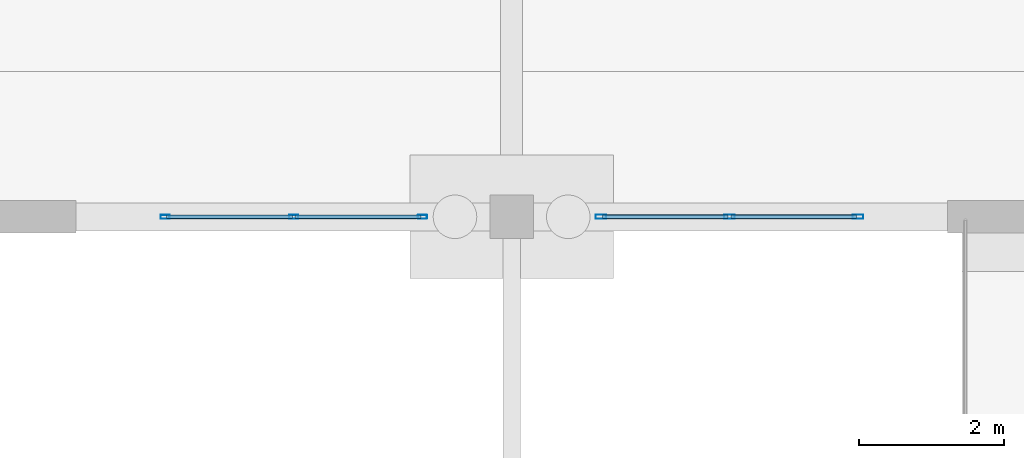
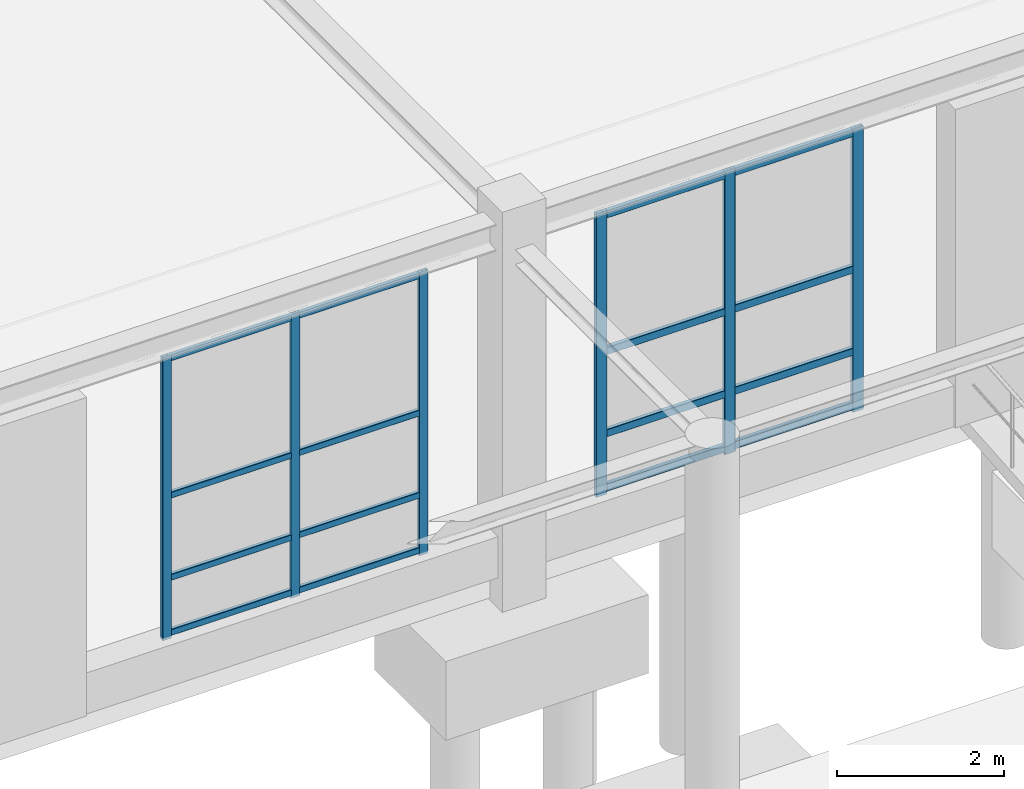
# One storey, part 15 of 53: 22 members, 2 elements without a shape of their own.
"""IFC4 building model written with IfcOpenShell, lengths in metres."""

from ifc_helpers import new_model, si_unit, derived_unit, direction, frame, origin, origin_2d, place, context, subcontext, project, spatial, hollow_rectangle, extrude, material, layer, layer_set, material_profile, profile_set, type_object, element, aggregate, save


model = new_model("IFC4")

# Units and contexts
model_context = context("Model", 3, precision=1e-05, world=origin(), true_north=direction((0.0, 1.0)))
body_context = subcontext(model_context, "Body", "Model", "MODEL_VIEW")
ifc_project = project(units=[si_unit("LENGTHUNIT", "METRE"), si_unit("AREAUNIT", "SQUARE_METRE"), si_unit("VOLUMEUNIT", "CUBIC_METRE"), si_unit("PLANEANGLEUNIT", "RADIAN"), si_unit("MASSUNIT", "GRAM", prefix="KILO"), derived_unit("THERMALTRANSMITTANCEUNIT", [(si_unit("POWERUNIT", "WATT"), 1), (si_unit("LENGTHUNIT", "METRE"), -2), (si_unit("THERMODYNAMICTEMPERATUREUNIT", "KELVIN"), -1)])], contexts=[model_context])

# Site, building, storey
site_placement = place(None, origin())
site = spatial("IfcSite", under=ifc_project, at=site_placement, CompositionType="ELEMENT")
building_placement = place(site_placement, origin())
building = spatial("IfcBuilding", under=site, at=building_placement, Name="Almenara Railside Exhibition Hall", CompositionType="ELEMENT")
storey_placement = place(building_placement, origin())
storey = spatial("IfcBuildingStorey", under=building, at=storey_placement, Name="L00", CompositionType="ELEMENT", Elevation=0.0)

# Curtain wall, members
ifc_material_1 = material(Name="Bronze-anodised aluminium and low-E double glazing", Category="aluminium")
ifc_layer = layer(ifc_material_1, 0.179931640625, Name="Bronze-anodised aluminium and low-E double glazing")
ifc_layer_set = layer_set([ifc_layer], Name="Bronze-anodised aluminium and low-E double glazing")
curtain_wall_type = type_object("IfcCurtainWallType", Name="Concourse South Portale Curtain Wall 3600x4100", PredefinedType="NOTDEFINED", material=ifc_layer_set)
curtain_wall_1_placement = place(storey_placement, origin())
curtain_wall_1 = element("IfcCurtainWall", 1, at=curtain_wall_1_placement, inside=storey, type_object=curtain_wall_type, Name="Curtain wall CW-PC1-126", PredefinedType="NOTDEFINED")
ifc_material_2 = material(Name="Bronze-anodised aluminium", Category="aluminium")
ifc_material_profile_1 = material_profile(ifc_material_2, hollow_rectangle(XDim=0.054931640625, YDim=0.125, WallThickness=0.0029296875, InnerFilletRadius=0.0029296875, OuterFilletRadius=0.006103515625, at=origin_2d()), Name="ALU-MUL 55x125x3")
ifc_profile_set_1 = profile_set([ifc_material_profile_1], Name="Bronze-anodised aluminium")
member_type_1 = type_object("IfcMemberType", Name="Curtain Wall Mullion 55x125x3", PredefinedType="MULLION", material=ifc_profile_set_1)
member_1_placement = place(storey_placement, frame((97.2275390625, 36.0, 0.56494140625), z_axis=(0.0, 0.0, 1.0), x_axis=(0.0, 1.0, 0.0)))
member_1 = element("IfcMember", 2, at=member_1_placement, type_object=member_type_1, Name="CW-PC1-126 mullion 1", PredefinedType="MULLION", context=body_context, shape_type="SweptSolid", body=[
    extrude(hollow_rectangle(XDim=0.054931640625, YDim=0.125, WallThickness=0.0029296875, InnerFilletRadius=0.0029296875, OuterFilletRadius=0.006103515625, at=origin_2d()), origin(), (0.0, 0.0, 1.0), 4.135009765625),
])
member_2_placement = place(storey_placement, frame((99.0, 36.0, 0.56494140625), z_axis=(0.0, 0.0, 1.0), x_axis=(0.0, 1.0, 0.0)))
member_2 = element("IfcMember", 3, at=member_2_placement, type_object=member_type_1, Name="CW-PC1-126 mullion 2", PredefinedType="MULLION", context=body_context, shape_type="SweptSolid", body=[
    extrude(hollow_rectangle(XDim=0.054931640625, YDim=0.125, WallThickness=0.0029296875, InnerFilletRadius=0.0029296875, OuterFilletRadius=0.006103515625, at=origin_2d()), origin(), (0.0, 0.0, 1.0), 4.135009765625),
])
member_3_placement = place(storey_placement, frame((100.7724609375, 36.0, 0.56494140625), z_axis=(0.0, 0.0, 1.0), x_axis=(0.0, 1.0, 0.0)))
member_3 = element("IfcMember", 4, at=member_3_placement, type_object=member_type_1, Name="CW-PC1-126 mullion 3", PredefinedType="MULLION", context=body_context, shape_type="SweptSolid", body=[
    extrude(hollow_rectangle(XDim=0.054931640625, YDim=0.125, WallThickness=0.0029296875, InnerFilletRadius=0.0029296875, OuterFilletRadius=0.006103515625, at=origin_2d()), origin(), (0.0, 0.0, 1.0), 4.135009765625),
])

curtain_wall_2_placement = place(storey_placement, origin())
curtain_wall_2 = element("IfcCurtainWall", 5, at=curtain_wall_2_placement, inside=storey, type_object=curtain_wall_type, Name="Curtain wall CW-PC1-133", PredefinedType="NOTDEFINED")
ifc_material_profile_2 = material_profile(ifc_material_2, hollow_rectangle(XDim=0.06005859375, YDim=0.14990234375, WallThickness=0.00341796875, InnerFilletRadius=0.00341796875, OuterFilletRadius=0.007080078125, at=origin_2d()), Name="ALU-MUL 60x150x3.5")
ifc_profile_set_2 = profile_set([ifc_material_profile_2], Name="Bronze-anodised aluminium")
member_type_2 = type_object("IfcMemberType", Name="Curtain Wall Mullion 60x150x3.5", PredefinedType="MULLION", material=ifc_profile_set_2)
member_4_placement = place(storey_placement, frame((103.22998046875, 36.0, 0.56494140625), z_axis=(0.0, 0.0, 1.0), x_axis=(0.0, 1.0, 0.0)))
member_4 = element("IfcMember", 6, at=member_4_placement, type_object=member_type_2, Name="CW-PC1-133 mullion 1", PredefinedType="MULLION", context=body_context, shape_type="SweptSolid", body=[
    extrude(hollow_rectangle(XDim=0.06005859375, YDim=0.14990234375, WallThickness=0.00341796875, InnerFilletRadius=0.00341796875, OuterFilletRadius=0.007080078125, at=origin_2d()), origin(), (0.0, 0.0, 1.0), 4.135009765625),
])
member_5_placement = place(storey_placement, frame((105.0, 36.0, 0.56494140625), z_axis=(0.0, 0.0, 1.0), x_axis=(0.0, 1.0, 0.0)))
member_5 = element("IfcMember", 7, at=member_5_placement, type_object=member_type_2, Name="CW-PC1-133 mullion 2", PredefinedType="MULLION", context=body_context, shape_type="SweptSolid", body=[
    extrude(hollow_rectangle(XDim=0.06005859375, YDim=0.14990234375, WallThickness=0.00341796875, InnerFilletRadius=0.00341796875, OuterFilletRadius=0.007080078125, at=origin_2d()), origin(), (0.0, 0.0, 1.0), 4.135009765625),
])
member_6_placement = place(storey_placement, frame((106.77001953125, 36.0, 0.56494140625), z_axis=(0.0, 0.0, 1.0), x_axis=(0.0, 1.0, 0.0)))
member_6 = element("IfcMember", 8, at=member_6_placement, type_object=member_type_2, Name="CW-PC1-133 mullion 3", PredefinedType="MULLION", context=body_context, shape_type="SweptSolid", body=[
    extrude(hollow_rectangle(XDim=0.06005859375, YDim=0.14990234375, WallThickness=0.00341796875, InnerFilletRadius=0.00341796875, OuterFilletRadius=0.007080078125, at=origin_2d()), origin(), (0.0, 0.0, 1.0), 4.135009765625),
])

# Member
ifc_material_profile_3 = material_profile(ifc_material_2, hollow_rectangle(XDim=0.054931640625, YDim=0.090087890625, WallThickness=0.0029296875, InnerFilletRadius=0.0029296875, OuterFilletRadius=0.006103515625, at=origin_2d()), Name="ALU-TRN 55x90x3")
ifc_profile_set_3 = profile_set([ifc_material_profile_3], Name="Bronze-anodised aluminium")
member_type_3 = type_object("IfcMemberType", Name="Curtain Wall Transom 55x90x3", PredefinedType="USERDEFINED", material=ifc_profile_set_3)
member_7_placement = place(storey_placement, frame((97.2470703125, 36.0, 0.64501953125), z_axis=(1.0, 0.0, 0.0), x_axis=(0.0, 1.0, 0.0)))
member_7 = element("IfcMember", 9, at=member_7_placement, type_object=member_type_3, Name="CW-PC1-126 transom 1.1", ObjectType="TRANSOM", PredefinedType="USERDEFINED", context=body_context, shape_type="SweptSolid", body=[
    extrude(hollow_rectangle(XDim=0.054931640625, YDim=0.090087890625, WallThickness=0.0029296875, InnerFilletRadius=0.0029296875, OuterFilletRadius=0.006103515625, at=origin_2d()), origin(), (0.0, 0.0, 1.0), 1.7333984375),
])

member_8_placement = place(storey_placement, frame((97.2470703125, 36.0, 1.449951171875), z_axis=(1.0, 0.0, 0.0), x_axis=(0.0, 1.0, 0.0)))
member_8 = element("IfcMember", 10, at=member_8_placement, type_object=member_type_3, Name="CW-PC1-126 transom 1.2", ObjectType="TRANSOM", PredefinedType="USERDEFINED", context=body_context, shape_type="SweptSolid", body=[
    extrude(hollow_rectangle(XDim=0.054931640625, YDim=0.090087890625, WallThickness=0.0029296875, InnerFilletRadius=0.0029296875, OuterFilletRadius=0.006103515625, at=origin_2d()), origin(), (0.0, 0.0, 1.0), 1.7333984375),
])

member_9_placement = place(storey_placement, frame((97.2470703125, 36.0, 2.64990234375), z_axis=(1.0, 0.0, 0.0), x_axis=(0.0, 1.0, 0.0)))
member_9 = element("IfcMember", 11, at=member_9_placement, type_object=member_type_3, Name="CW-PC1-126 transom 1.3", ObjectType="TRANSOM", PredefinedType="USERDEFINED", context=body_context, shape_type="SweptSolid", body=[
    extrude(hollow_rectangle(XDim=0.054931640625, YDim=0.090087890625, WallThickness=0.0029296875, InnerFilletRadius=0.0029296875, OuterFilletRadius=0.006103515625, at=origin_2d()), origin(), (0.0, 0.0, 1.0), 1.7333984375),
])

member_10_placement = place(storey_placement, frame((97.2470703125, 36.0, 4.655029296875), z_axis=(1.0, 0.0, 0.0), x_axis=(0.0, 1.0, 0.0)))
member_10 = element("IfcMember", 12, at=member_10_placement, type_object=member_type_3, Name="CW-PC1-126 transom 1.4", ObjectType="TRANSOM", PredefinedType="USERDEFINED", context=body_context, shape_type="SweptSolid", body=[
    extrude(hollow_rectangle(XDim=0.054931640625, YDim=0.090087890625, WallThickness=0.0029296875, InnerFilletRadius=0.0029296875, OuterFilletRadius=0.006103515625, at=origin_2d()), origin(), (0.0, 0.0, 1.0), 1.7333984375),
])

member_11_placement = place(storey_placement, frame((99.01953125, 36.0, 0.64501953125), z_axis=(1.0, 0.0, 0.0), x_axis=(0.0, 1.0, 0.0)))
member_11 = element("IfcMember", 13, at=member_11_placement, type_object=member_type_3, Name="CW-PC1-126 transom 2.1", ObjectType="TRANSOM", PredefinedType="USERDEFINED", context=body_context, shape_type="SweptSolid", body=[
    extrude(hollow_rectangle(XDim=0.054931640625, YDim=0.090087890625, WallThickness=0.0029296875, InnerFilletRadius=0.0029296875, OuterFilletRadius=0.006103515625, at=origin_2d()), origin(), (0.0, 0.0, 1.0), 1.7333984375),
])

member_12_placement = place(storey_placement, frame((99.01953125, 36.0, 1.449951171875), z_axis=(1.0, 0.0, 0.0), x_axis=(0.0, 1.0, 0.0)))
member_12 = element("IfcMember", 14, at=member_12_placement, type_object=member_type_3, Name="CW-PC1-126 transom 2.2", ObjectType="TRANSOM", PredefinedType="USERDEFINED", context=body_context, shape_type="SweptSolid", body=[
    extrude(hollow_rectangle(XDim=0.054931640625, YDim=0.090087890625, WallThickness=0.0029296875, InnerFilletRadius=0.0029296875, OuterFilletRadius=0.006103515625, at=origin_2d()), origin(), (0.0, 0.0, 1.0), 1.7333984375),
])

member_13_placement = place(storey_placement, frame((99.01953125, 36.0, 2.64990234375), z_axis=(1.0, 0.0, 0.0), x_axis=(0.0, 1.0, 0.0)))
member_13 = element("IfcMember", 15, at=member_13_placement, type_object=member_type_3, Name="CW-PC1-126 transom 2.3", ObjectType="TRANSOM", PredefinedType="USERDEFINED", context=body_context, shape_type="SweptSolid", body=[
    extrude(hollow_rectangle(XDim=0.054931640625, YDim=0.090087890625, WallThickness=0.0029296875, InnerFilletRadius=0.0029296875, OuterFilletRadius=0.006103515625, at=origin_2d()), origin(), (0.0, 0.0, 1.0), 1.7333984375),
])

member_14_placement = place(storey_placement, frame((99.01953125, 36.0, 4.655029296875), z_axis=(1.0, 0.0, 0.0), x_axis=(0.0, 1.0, 0.0)))
member_14 = element("IfcMember", 16, at=member_14_placement, type_object=member_type_3, Name="CW-PC1-126 transom 2.4", ObjectType="TRANSOM", PredefinedType="USERDEFINED", context=body_context, shape_type="SweptSolid", body=[
    extrude(hollow_rectangle(XDim=0.054931640625, YDim=0.090087890625, WallThickness=0.0029296875, InnerFilletRadius=0.0029296875, OuterFilletRadius=0.006103515625, at=origin_2d()), origin(), (0.0, 0.0, 1.0), 1.7333984375),
])

aggregate(curtain_wall_1, [member_1, member_2, member_3, member_7, member_8, member_9, member_10, member_11, member_12, member_13, member_14])

ifc_material_profile_4 = material_profile(ifc_material_2, hollow_rectangle(XDim=0.06005859375, YDim=0.110107421875, WallThickness=0.0029296875, InnerFilletRadius=0.0029296875, OuterFilletRadius=0.006103515625, at=origin_2d()), Name="ALU-TRN 60x110x3")
ifc_profile_set_4 = profile_set([ifc_material_profile_4], Name="Bronze-anodised aluminium")
member_type_4 = type_object("IfcMemberType", Name="Curtain Wall Transom 60x110x3", PredefinedType="USERDEFINED", material=ifc_profile_set_4)
member_15_placement = place(storey_placement, frame((103.251953125, 36.0, 0.655029296875), z_axis=(1.0, 0.0, 0.0), x_axis=(0.0, 1.0, 0.0)))
member_15 = element("IfcMember", 17, at=member_15_placement, type_object=member_type_4, Name="CW-PC1-133 transom 1.1", ObjectType="TRANSOM", PredefinedType="USERDEFINED", context=body_context, shape_type="SweptSolid", body=[
    extrude(hollow_rectangle(XDim=0.06005859375, YDim=0.110107421875, WallThickness=0.0029296875, InnerFilletRadius=0.0029296875, OuterFilletRadius=0.006103515625, at=origin_2d()), origin(), (0.0, 0.0, 1.0), 1.72607421875),
])

member_16_placement = place(storey_placement, frame((103.251953125, 36.0, 1.449951171875), z_axis=(1.0, 0.0, 0.0), x_axis=(0.0, 1.0, 0.0)))
member_16 = element("IfcMember", 18, at=member_16_placement, type_object=member_type_4, Name="CW-PC1-133 transom 1.2", ObjectType="TRANSOM", PredefinedType="USERDEFINED", context=body_context, shape_type="SweptSolid", body=[
    extrude(hollow_rectangle(XDim=0.06005859375, YDim=0.110107421875, WallThickness=0.0029296875, InnerFilletRadius=0.0029296875, OuterFilletRadius=0.006103515625, at=origin_2d()), origin(), (0.0, 0.0, 1.0), 1.72607421875),
])

member_17_placement = place(storey_placement, frame((103.251953125, 36.0, 2.64990234375), z_axis=(1.0, 0.0, 0.0), x_axis=(0.0, 1.0, 0.0)))
member_17 = element("IfcMember", 19, at=member_17_placement, type_object=member_type_4, Name="CW-PC1-133 transom 1.3", ObjectType="TRANSOM", PredefinedType="USERDEFINED", context=body_context, shape_type="SweptSolid", body=[
    extrude(hollow_rectangle(XDim=0.06005859375, YDim=0.110107421875, WallThickness=0.0029296875, InnerFilletRadius=0.0029296875, OuterFilletRadius=0.006103515625, at=origin_2d()), origin(), (0.0, 0.0, 1.0), 1.72607421875),
])

member_18_placement = place(storey_placement, frame((103.251953125, 36.0, 4.64501953125), z_axis=(1.0, 0.0, 0.0), x_axis=(0.0, 1.0, 0.0)))
member_18 = element("IfcMember", 20, at=member_18_placement, type_object=member_type_4, Name="CW-PC1-133 transom 1.4", ObjectType="TRANSOM", PredefinedType="USERDEFINED", context=body_context, shape_type="SweptSolid", body=[
    extrude(hollow_rectangle(XDim=0.06005859375, YDim=0.110107421875, WallThickness=0.0029296875, InnerFilletRadius=0.0029296875, OuterFilletRadius=0.006103515625, at=origin_2d()), origin(), (0.0, 0.0, 1.0), 1.72607421875),
])

member_19_placement = place(storey_placement, frame((105.02197265625, 36.0, 0.655029296875), z_axis=(1.0, 0.0, 0.0), x_axis=(0.0, 1.0, 0.0)))
member_19 = element("IfcMember", 21, at=member_19_placement, type_object=member_type_4, Name="CW-PC1-133 transom 2.1", ObjectType="TRANSOM", PredefinedType="USERDEFINED", context=body_context, shape_type="SweptSolid", body=[
    extrude(hollow_rectangle(XDim=0.06005859375, YDim=0.110107421875, WallThickness=0.0029296875, InnerFilletRadius=0.0029296875, OuterFilletRadius=0.006103515625, at=origin_2d()), origin(), (0.0, 0.0, 1.0), 1.72607421875),
])

member_20_placement = place(storey_placement, frame((105.02197265625, 36.0, 1.449951171875), z_axis=(1.0, 0.0, 0.0), x_axis=(0.0, 1.0, 0.0)))
member_20 = element("IfcMember", 22, at=member_20_placement, type_object=member_type_4, Name="CW-PC1-133 transom 2.2", ObjectType="TRANSOM", PredefinedType="USERDEFINED", context=body_context, shape_type="SweptSolid", body=[
    extrude(hollow_rectangle(XDim=0.06005859375, YDim=0.110107421875, WallThickness=0.0029296875, InnerFilletRadius=0.0029296875, OuterFilletRadius=0.006103515625, at=origin_2d()), origin(), (0.0, 0.0, 1.0), 1.72607421875),
])

member_21_placement = place(storey_placement, frame((105.02197265625, 36.0, 2.64990234375), z_axis=(1.0, 0.0, 0.0), x_axis=(0.0, 1.0, 0.0)))
member_21 = element("IfcMember", 23, at=member_21_placement, type_object=member_type_4, Name="CW-PC1-133 transom 2.3", ObjectType="TRANSOM", PredefinedType="USERDEFINED", context=body_context, shape_type="SweptSolid", body=[
    extrude(hollow_rectangle(XDim=0.06005859375, YDim=0.110107421875, WallThickness=0.0029296875, InnerFilletRadius=0.0029296875, OuterFilletRadius=0.006103515625, at=origin_2d()), origin(), (0.0, 0.0, 1.0), 1.72607421875),
])

member_22_placement = place(storey_placement, frame((105.02197265625, 36.0, 4.64501953125), z_axis=(1.0, 0.0, 0.0), x_axis=(0.0, 1.0, 0.0)))
member_22 = element("IfcMember", 24, at=member_22_placement, type_object=member_type_4, Name="CW-PC1-133 transom 2.4", ObjectType="TRANSOM", PredefinedType="USERDEFINED", context=body_context, shape_type="SweptSolid", body=[
    extrude(hollow_rectangle(XDim=0.06005859375, YDim=0.110107421875, WallThickness=0.0029296875, InnerFilletRadius=0.0029296875, OuterFilletRadius=0.006103515625, at=origin_2d()), origin(), (0.0, 0.0, 1.0), 1.72607421875),
])

aggregate(curtain_wall_2, [member_4, member_5, member_6, member_15, member_16, member_17, member_18, member_19, member_20, member_21, member_22])

save(model, "model.ifc")
